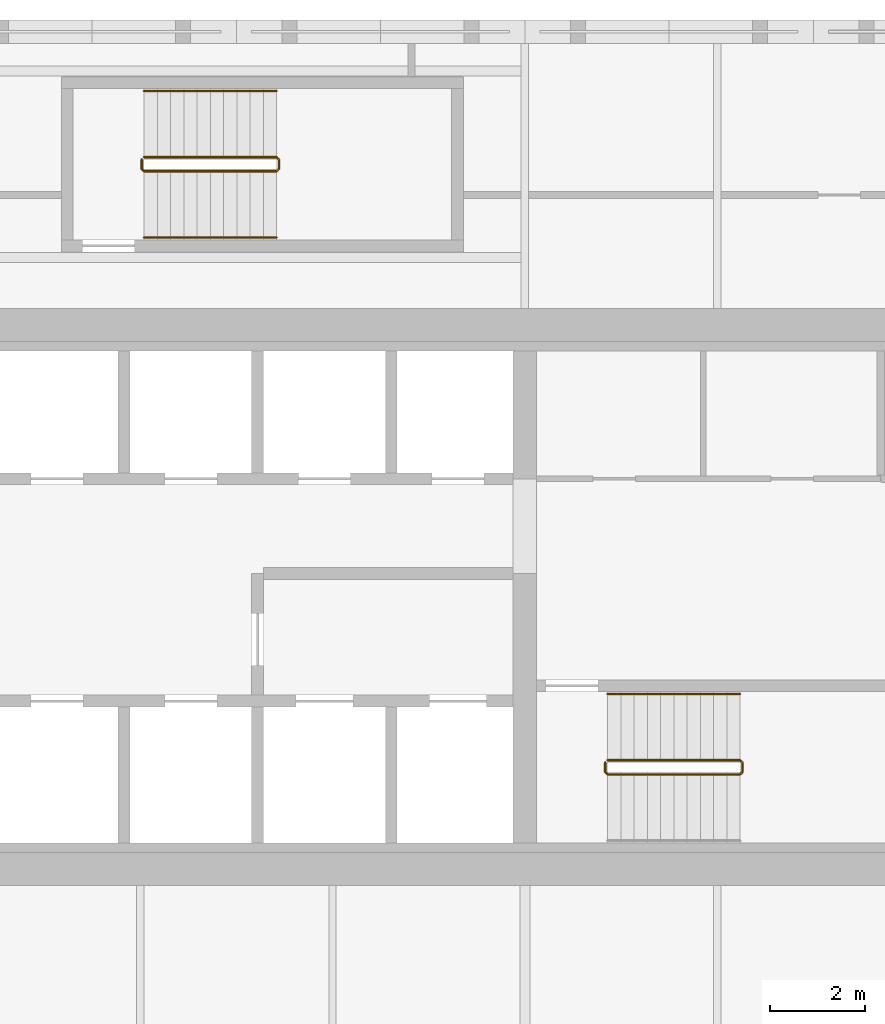
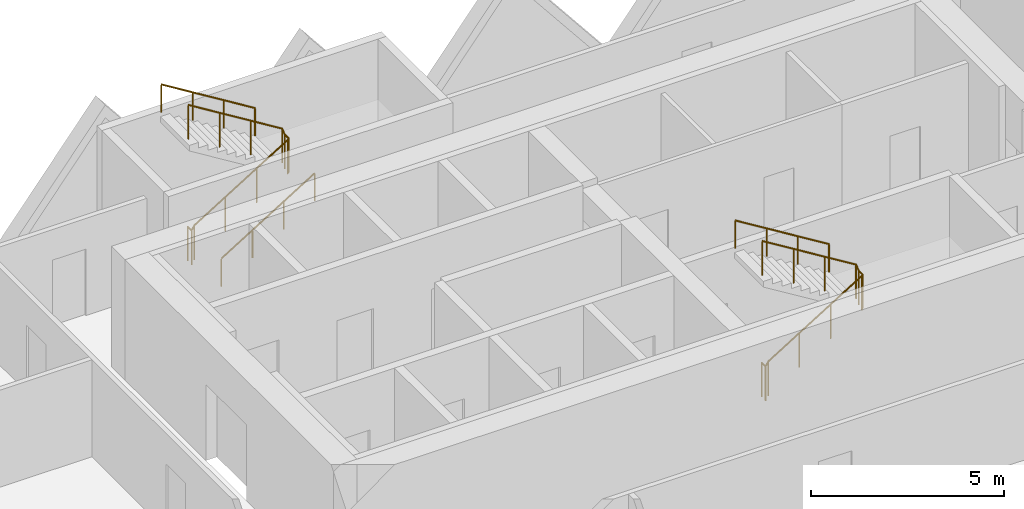
# One storey, part 18 of 18: 5 railings.
"""IFC4 building model written with IfcOpenShell, lengths in metres."""

from ifc_helpers import new_model, si_unit, direction, frame, origin, origin_2d, place, context, subcontext, project, spatial, circle, extrude, material, type_object, element, save


model = new_model("IFC4")

# Units and contexts
model_context = context("Model", 3, precision=1e-05, world=origin(), true_north=direction((0.0, 1.0)))
body_context = subcontext(model_context, "Body", "Model", "MODEL_VIEW")
ifc_project = project(units=[si_unit("LENGTHUNIT", "METRE"), si_unit("AREAUNIT", "SQUARE_METRE"), si_unit("VOLUMEUNIT", "CUBIC_METRE"), si_unit("PLANEANGLEUNIT", "RADIAN"), si_unit("MASSUNIT", "GRAM", prefix="KILO")], contexts=[model_context])

# Site, building, storey
site_placement = place(None, origin())
site = spatial("IfcSite", under=ifc_project, at=site_placement, CompositionType="ELEMENT")
building_placement = place(site_placement, origin())
building = spatial("IfcBuilding", under=site, at=building_placement, Name="Tessera Gate Towers", CompositionType="ELEMENT")
storey_placement = place(building_placement, frame((0.0, 0.0, 37.199951171875)))
storey = spatial("IfcBuildingStorey", under=building, at=storey_placement, Name="L08", CompositionType="ELEMENT", Elevation=37.199951171875)

# Railings
ifc_material_1 = material(Name="Steel 350W", Category="steel")
railing_type_1 = type_object("IfcRailingType", Name="STAIR GUARD 1100", PredefinedType="GUARDRAIL", material=ifc_material_1)
railing_1_placement = place(storey_placement, frame((111.5, 39.199951171875, 0.0)))
element("IfcRailing", 1, at=railing_1_placement, inside=storey, type_object=railing_type_1, Name="L08 ST6 stair guard 1", PredefinedType="GUARDRAIL", context=body_context, shape_type="SweptSolid", body=[
    extrude(circle(Radius=0.02392578125, at=origin_2d()), frame((0.0, 0.0, 1.076171875), z_axis=(0.0, -1.0, 0.0), x_axis=(1.0, 0.0, 0.0)), (0.0, 0.0, 1.0), 0.199951171875),
    extrude(circle(Radius=0.02392578125, at=origin_2d()), frame((0.0, -0.199951171875, 1.076171875), z_axis=(0.267953482034, -0.267953482034, 0.925419830635), x_axis=(0.707106781187, 0.707106781187, 0.0)), (0.0, 0.0, 1.0), 0.186767578125),
    extrude(circle(Radius=0.02392578125, at=origin_2d()), frame((0.050048828125, -0.25, 1.2490234375), z_axis=(0.851089632645, 0.0, 0.525020415988), x_axis=(0.0, 1.0, 0.0)), (0.0, 0.0, 1.0), 3.2900390625),
    extrude(circle(Radius=0.02392578125, at=origin_2d()), frame((2.85009765625, -0.25, 2.97607421875), z_axis=(0.705375805398, 0.708833529934, 0.0), x_axis=(-0.708833529934, 0.705375805398, 0.0)), (0.0, 0.0, 1.0), 0.070556640625),
    extrude(circle(Radius=0.02392578125, at=origin_2d()), frame((2.89990234375, -0.199951171875, 2.97607421875), z_axis=(0.0, 1.0, 0.0), x_axis=(-1.0, 0.0, 0.0)), (0.0, 0.0, 1.0), 0.199951171875),
    extrude(circle(Radius=0.02392578125, at=origin_2d()), frame((2.89990234375, 0.0, 2.97607421875), z_axis=(-0.267062837333, 0.268371968888, 0.925556009775), x_axis=(-0.708833529934, -0.705375805398, 0.0)), (0.0, 0.0, 1.0), 0.1865234375),
    extrude(circle(Radius=0.02392578125, at=origin_2d()), frame((2.85009765625, 0.050048828125, 3.14892578125), z_axis=(-0.851089632645, 0.0, 0.525020415988), x_axis=(0.0, -1.0, 0.0)), (0.0, 0.0, 1.0), 3.2900390625),
    extrude(circle(Radius=0.02099609375, at=origin_2d()), origin(), (0.0, 0.0, 1.0), 1.052001953125),
    extrude(circle(Radius=0.02099609375, at=origin_2d()), frame((0.0, -0.199951171875, 0.0)), (0.0, 0.0, 1.0), 1.052001953125),
    extrude(circle(Radius=0.02099609375, at=origin_2d()), frame((0.050048828125, -0.25, 0.1728515625)), (0.0, 0.0, 1.0), 1.052001953125),
    extrude(circle(Radius=0.02099609375, at=origin_2d()), frame((0.9833984375, -0.25, 0.74853515625)), (0.0, 0.0, 1.0), 1.052001953125),
    extrude(circle(Radius=0.02099609375, at=origin_2d()), frame((1.916748046875, -0.25, 1.324462890625)), (0.0, 0.0, 1.0), 1.052001953125),
    extrude(circle(Radius=0.02099609375, at=origin_2d()), frame((2.85009765625, -0.25, 1.900146484375)), (0.0, 0.0, 1.0), 1.052001953125),
    extrude(circle(Radius=0.02099609375, at=origin_2d()), frame((2.89990234375, -0.199951171875, 1.900146484375)), (0.0, 0.0, 1.0), 1.052001953125),
    extrude(circle(Radius=0.02099609375, at=origin_2d()), frame((2.89990234375, 0.0, 1.900146484375)), (0.0, 0.0, 1.0), 1.052001953125),
    extrude(circle(Radius=0.02099609375, at=origin_2d()), frame((2.85009765625, 0.050048828125, 2.07275390625)), (0.0, 0.0, 1.0), 1.052001953125),
    extrude(circle(Radius=0.02099609375, at=origin_2d()), frame((1.916748046875, 0.050048828125, 2.6484375)), (0.0, 0.0, 1.0), 1.052001953125),
    extrude(circle(Radius=0.02099609375, at=origin_2d()), frame((0.9833984375, 0.050048828125, 3.224365234375)), (0.0, 0.0, 1.0), 1.052001953125),
    extrude(circle(Radius=0.02099609375, at=origin_2d()), frame((0.050048828125, 0.050048828125, 3.800048828125)), (0.0, 0.0, 1.0), 1.052001953125),
])
railing_2_placement = place(storey_placement, frame((101.699951171875, 51.949951171875, 0.0)))
element("IfcRailing", 2, at=railing_2_placement, inside=storey, type_object=railing_type_1, Name="L08 ST7 stair guard 1", PredefinedType="GUARDRAIL", context=body_context, shape_type="SweptSolid", body=[
    extrude(circle(Radius=0.02392578125, at=origin_2d()), frame((0.0, 0.0, 1.076171875), z_axis=(0.0, -1.0, 0.0), x_axis=(1.0, 0.0, 0.0)), (0.0, 0.0, 1.0), 0.199951171875),
    extrude(circle(Radius=0.02392578125, at=origin_2d()), frame((0.0, -0.199951171875, 1.076171875), z_axis=(0.267953482034, -0.267953482034, 0.925419830635), x_axis=(0.707106781187, 0.707106781187, 0.0)), (0.0, 0.0, 1.0), 0.186767578125),
    extrude(circle(Radius=0.02392578125, at=origin_2d()), frame((0.050048828125, -0.25, 1.2490234375), z_axis=(0.851089632645, 0.0, 0.525020415988), x_axis=(0.0, 1.0, 0.0)), (0.0, 0.0, 1.0), 3.2900390625),
    extrude(circle(Radius=0.02392578125, at=origin_2d()), frame((2.85009765625, -0.25, 2.97607421875), z_axis=(0.707106781187, 0.707106781187, 0.0), x_axis=(-0.707106781187, 0.707106781187, 0.0)), (0.0, 0.0, 1.0), 0.07080078125),
    extrude(circle(Radius=0.02392578125, at=origin_2d()), frame((2.900146484375, -0.199951171875, 2.97607421875), z_axis=(0.0, 1.0, 0.0), x_axis=(-1.0, 0.0, 0.0)), (0.0, 0.0, 1.0), 0.199951171875),
    extrude(circle(Radius=0.02392578125, at=origin_2d()), frame((2.900146484375, 0.0, 2.97607421875), z_axis=(-0.268277960024, 0.268277960024, 0.925231793839), x_axis=(-0.707106781187, -0.707106781187, 0.0)), (0.0, 0.0, 1.0), 0.1865234375),
    extrude(circle(Radius=0.02392578125, at=origin_2d()), frame((2.85009765625, 0.050048828125, 3.14892578125), z_axis=(-0.851089632645, 0.0, 0.525020415988), x_axis=(0.0, -1.0, 0.0)), (0.0, 0.0, 1.0), 3.2900390625),
    extrude(circle(Radius=0.02099609375, at=origin_2d()), origin(), (0.0, 0.0, 1.0), 1.052001953125),
    extrude(circle(Radius=0.02099609375, at=origin_2d()), frame((0.0, -0.199951171875, 0.0)), (0.0, 0.0, 1.0), 1.052001953125),
    extrude(circle(Radius=0.02099609375, at=origin_2d()), frame((0.050048828125, -0.25, 0.1728515625)), (0.0, 0.0, 1.0), 1.052001953125),
    extrude(circle(Radius=0.02099609375, at=origin_2d()), frame((0.9833984375, -0.25, 0.74853515625)), (0.0, 0.0, 1.0), 1.052001953125),
    extrude(circle(Radius=0.02099609375, at=origin_2d()), frame((1.916748046875, -0.25, 1.324462890625)), (0.0, 0.0, 1.0), 1.052001953125),
    extrude(circle(Radius=0.02099609375, at=origin_2d()), frame((2.85009765625, -0.25, 1.900146484375)), (0.0, 0.0, 1.0), 1.052001953125),
    extrude(circle(Radius=0.02099609375, at=origin_2d()), frame((2.900146484375, -0.199951171875, 1.900146484375)), (0.0, 0.0, 1.0), 1.052001953125),
    extrude(circle(Radius=0.02099609375, at=origin_2d()), frame((2.900146484375, 0.0, 1.900146484375)), (0.0, 0.0, 1.0), 1.052001953125),
    extrude(circle(Radius=0.02099609375, at=origin_2d()), frame((2.85009765625, 0.050048828125, 2.07275390625)), (0.0, 0.0, 1.0), 1.052001953125),
    extrude(circle(Radius=0.02099609375, at=origin_2d()), frame((1.916748046875, 0.050048828125, 2.6484375)), (0.0, 0.0, 1.0), 1.052001953125),
    extrude(circle(Radius=0.02099609375, at=origin_2d()), frame((0.9833984375, 0.050048828125, 3.224365234375)), (0.0, 0.0, 1.0), 1.052001953125),
    extrude(circle(Radius=0.02099609375, at=origin_2d()), frame((0.050048828125, 0.050048828125, 3.800048828125)), (0.0, 0.0, 1.0), 1.052001953125),
])
ifc_material_2 = material(Name="Steel 350W", Category="steel")
railing_type_2 = type_object("IfcRailingType", Name="STAIR HANDRAIL 900", PredefinedType="HANDRAIL", material=ifc_material_2)
railing_3_placement = place(storey_placement, frame((114.35009765625, 40.64990234375, 2.07275390625)))
element("IfcRailing", 3, at=railing_3_placement, inside=storey, type_object=railing_type_2, Name="L08 ST6 stair handrail 2", PredefinedType="HANDRAIL", context=body_context, shape_type="SweptSolid", body=[
    extrude(circle(Radius=0.02392578125, at=origin_2d()), frame((0.0, 0.0, 0.8759765625), z_axis=(-0.851089632645, 0.0, 0.525020415988), x_axis=(0.0, -1.0, 0.0)), (0.0, 0.0, 1.0), 3.2900390625),
    extrude(circle(Radius=0.02099609375, at=origin_2d()), origin(), (0.0, 0.0, 1.0), 0.851806640625),
    extrude(circle(Radius=0.02099609375, at=origin_2d()), frame((-0.933349609375, 0.0, 0.57568359375)), (0.0, 0.0, 1.0), 0.851806640625),
    extrude(circle(Radius=0.02099609375, at=origin_2d()), frame((-1.86669921875, 0.0, 1.151611328125)), (0.0, 0.0, 1.0), 0.851806640625),
    extrude(circle(Radius=0.02099609375, at=origin_2d()), frame((-2.800048828125, 0.0, 1.727294921875)), (0.0, 0.0, 1.0), 0.851806640625),
])
railing_4_placement = place(storey_placement, frame((101.75, 50.300048828125, 0.1728515625)))
element("IfcRailing", 4, at=railing_4_placement, inside=storey, type_object=railing_type_2, Name="L08 ST7 stair handrail 1", PredefinedType="HANDRAIL", context=body_context, shape_type="SweptSolid", body=[
    extrude(circle(Radius=0.02392578125, at=origin_2d()), frame((0.0, 0.0, 0.8759765625), z_axis=(0.851089632645, 0.0, 0.525020415988), x_axis=(0.0, 1.0, 0.0)), (0.0, 0.0, 1.0), 3.2900390625),
    extrude(circle(Radius=0.02099609375, at=origin_2d()), origin(), (0.0, 0.0, 1.0), 0.851806640625),
    extrude(circle(Radius=0.02099609375, at=origin_2d()), frame((0.933349609375, 0.0, 0.57568359375)), (0.0, 0.0, 1.0), 0.851806640625),
    extrude(circle(Radius=0.02099609375, at=origin_2d()), frame((1.86669921875, 0.0, 1.151611328125)), (0.0, 0.0, 1.0), 0.851806640625),
    extrude(circle(Radius=0.02099609375, at=origin_2d()), frame((2.800048828125, 0.0, 1.727294921875)), (0.0, 0.0, 1.0), 0.851806640625),
])
railing_5_placement = place(storey_placement, frame((104.550048828125, 53.39990234375, 2.07275390625)))
element("IfcRailing", 5, at=railing_5_placement, inside=storey, type_object=railing_type_2, Name="L08 ST7 stair handrail 2", PredefinedType="HANDRAIL", context=body_context, shape_type="SweptSolid", body=[
    extrude(circle(Radius=0.02392578125, at=origin_2d()), frame((0.0, 0.0, 0.8759765625), z_axis=(-0.851089632645, 0.0, 0.525020415988), x_axis=(0.0, -1.0, 0.0)), (0.0, 0.0, 1.0), 3.2900390625),
    extrude(circle(Radius=0.02099609375, at=origin_2d()), origin(), (0.0, 0.0, 1.0), 0.851806640625),
    extrude(circle(Radius=0.02099609375, at=origin_2d()), frame((-0.933349609375, 0.0, 0.57568359375)), (0.0, 0.0, 1.0), 0.851806640625),
    extrude(circle(Radius=0.02099609375, at=origin_2d()), frame((-1.86669921875, 0.0, 1.151611328125)), (0.0, 0.0, 1.0), 0.851806640625),
    extrude(circle(Radius=0.02099609375, at=origin_2d()), frame((-2.800048828125, 0.0, 1.727294921875)), (0.0, 0.0, 1.0), 0.851806640625),
])

save(model, "model.ifc")
